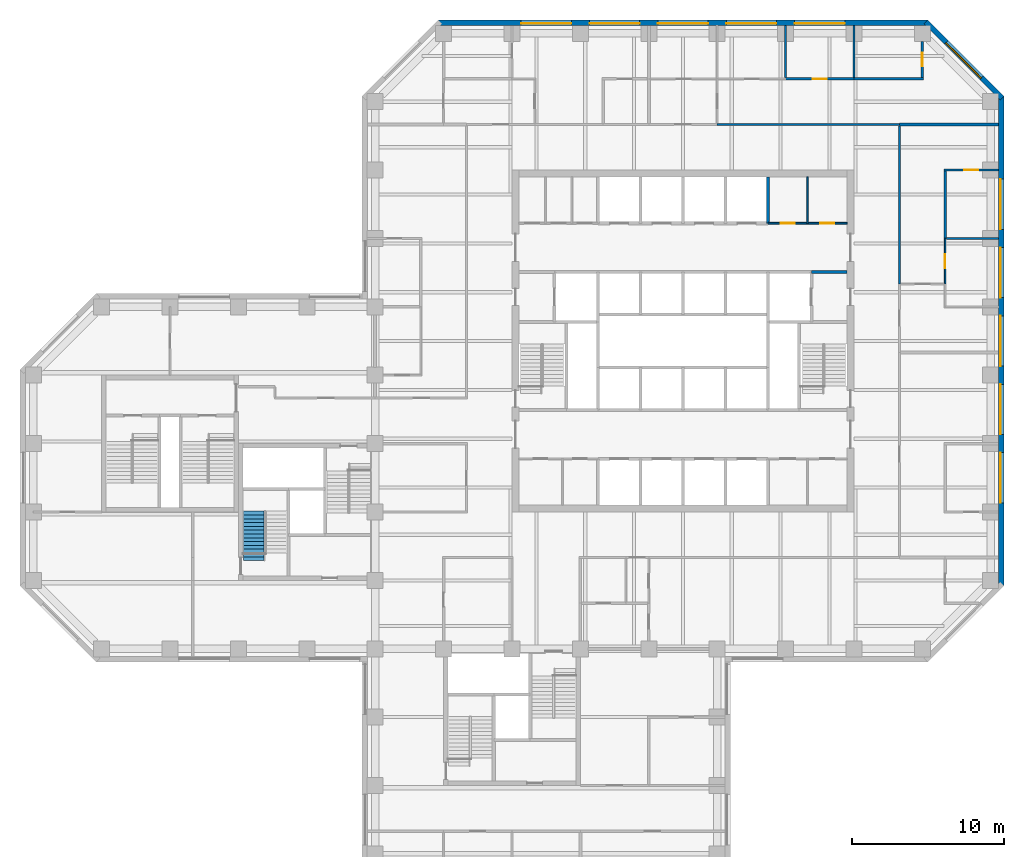
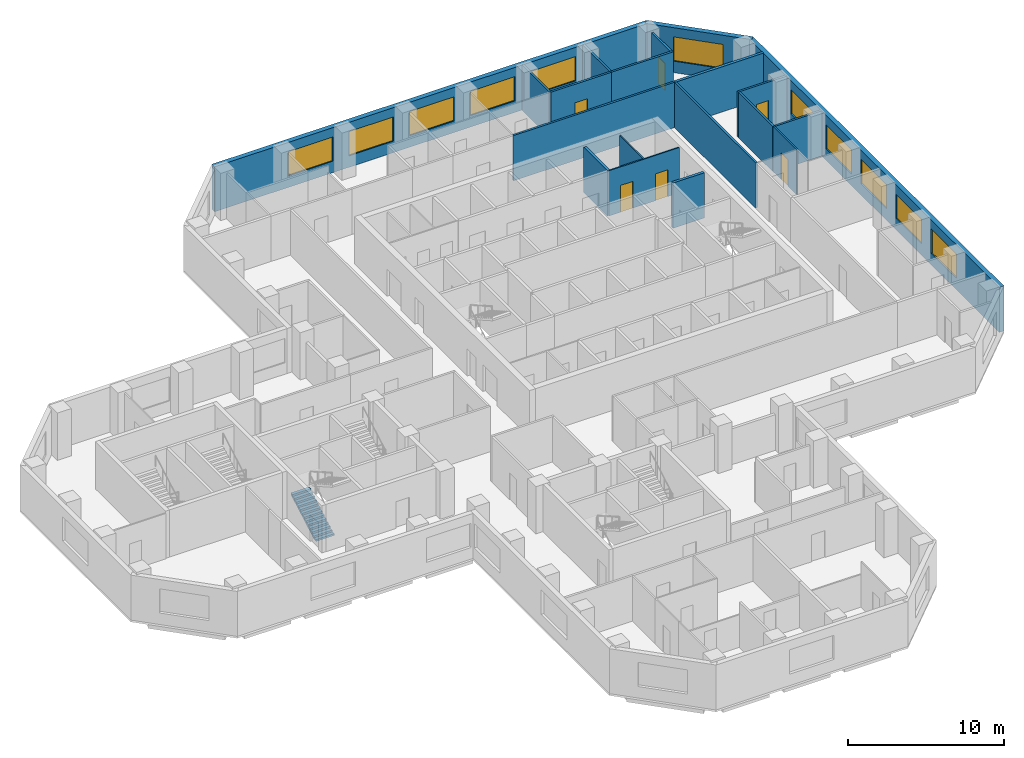
# One storey, part 9 of 11: 19 walls, 11 windows, 6 doors, 1 stair flight, 17 openings, 1 element without a shape of its own.
"""IFC4 building model written with IfcOpenShell, lengths in metres."""

from ifc_helpers import new_model, si_unit, direction, frame, frame_2d, origin, place, context, subcontext, project, spatial, polyline, rectangle, outline, extrude, material, layer, layer_set, constituent, constituent_set, type_object, element, fill, aggregate, save


model = new_model("IFC4")

# Units and contexts
model_context = context("Model", 3, precision=1e-05, world=origin(), true_north=direction((0.0, 1.0)))
body_context = subcontext(model_context, "Body", "Model", "MODEL_VIEW")
ifc_project = project(units=[si_unit("LENGTHUNIT", "METRE"), si_unit("AREAUNIT", "SQUARE_METRE"), si_unit("VOLUMEUNIT", "CUBIC_METRE"), si_unit("PLANEANGLEUNIT", "RADIAN"), si_unit("MASSUNIT", "GRAM", prefix="KILO")], contexts=[model_context])

# Site, building, storey
site_placement = place(None, origin())
site = spatial("IfcSite", under=ifc_project, at=site_placement, CompositionType="ELEMENT")
building_placement = place(site_placement, origin())
building = spatial("IfcBuilding", under=site, at=building_placement, Name="Quoin Convention Tower", CompositionType="ELEMENT")
storey_placement = place(building_placement, frame((0.0, 0.0, 115.89990234375)))
storey = spatial("IfcBuildingStorey", under=building, at=storey_placement, Name="L30", CompositionType="ELEMENT", Elevation=115.89990234375)

# Wall
ifc_material_1 = material(Name="Plasterboard")
ifc_layer_1 = layer(ifc_material_1, 0.012451171875, Name="Finish")
ifc_material_2 = material(Name="Steel stud framing", Category="steel")
ifc_layer_2 = layer(ifc_material_2, 0.125, Name="Structure")
ifc_layer_3 = layer(ifc_material_1, 0.012451171875, Name="Finish")
ifc_layer_set_1 = layer_set([ifc_layer_1, ifc_layer_2, ifc_layer_3], Name="Steel stud framing")
wall_type_1 = type_object("IfcWallType", Name="Acoustic partition 150", PredefinedType="PARTITIONING", material=ifc_layer_set_1)
wall_1_placement = place(storey_placement, frame((73.574951171875, 67.5, 0.0), z_axis=(0.0, 0.0, 1.0), x_axis=(1.0, 0.0, 0.0)))
element("IfcWall", 1, at=wall_1_placement, inside=storey, type_object=wall_type_1, Name="pw-L30-042", PredefinedType="PARTITIONING", context=body_context, shape_type="SweptSolid", body=[
    extrude(rectangle(XDim=3.449951171875, YDim=0.14990234375, at=frame_2d((1.72509765625, 0.0))), origin(), (0.0, 0.0, 1.0), 3.550048828125),
])

# Wall, opening, door
wall_2_placement = place(storey_placement, frame((73.425048828125, 72.0, 0.0), z_axis=(0.0, 0.0, 1.0), x_axis=(1.0, 0.0, 0.0)))
wall_2 = element("IfcWall", 2, at=wall_2_placement, inside=storey, type_object=wall_type_1, Name="pw-L30-043", PredefinedType="PARTITIONING", context=body_context, shape_type="SweptSolid", body=[
    extrude(rectangle(XDim=3.599853515625, YDim=0.14990234375, at=frame_2d((1.7998046875, 0.0))), origin(), (0.0, 0.0, 1.0), 3.550048828125),
])
opening_1_placement = place(wall_2_placement, frame((1.35009765625, 0.0, 0.0)))
opening_1 = element("IfcOpeningElement", 3, at=opening_1_placement, cuts=wall_2, Name="Opening DOL6-16", PredefinedType="OPENING", context=body_context, shape_type="SweptSolid", body=[
    extrude(rectangle(XDim=0.89990234375, YDim=2.10009765625, at=frame_2d((0.449951171875, 1.050048828125))), frame((0.0, 0.0849609375, 0.0), z_axis=(0.0, -1.0, 0.0), x_axis=(1.0, 0.0, 0.0)), (0.0, 0.0, 1.0), 0.169921875),
])
ifc_material_3 = material(Name="Steel door leaf", Category="steel")
door_type_1 = type_object("IfcDoorType", Name="Office door 900 x 2100", OperationType="SINGLE_SWING_RIGHT", PredefinedType="DOOR", material=ifc_material_3)
door_1_placement = place(opening_1_placement, origin())
door_1 = element("IfcDoor", 4, at=door_1_placement, inside=storey, type_object=door_type_1, Name="dr-L30-28", OperationType="SINGLE_SWING_RIGHT", OverallHeight=2.10009765625, OverallWidth=0.89990234375, PredefinedType="DOOR", context=body_context, shape_type="SweptSolid", body=[
    extrude(rectangle(XDim=0.89990234375, YDim=2.10009765625, at=frame_2d((0.449951171875, 1.050048828125))), frame((0.0, 0.02490234375, 0.0), z_axis=(0.0, -1.0, 0.0), x_axis=(1.0, 0.0, 0.0)), (0.0, 0.0, 1.0), 0.050048828125),
])
fill(opening_1, door_1)

wall_3_placement = place(storey_placement, frame((63.0, 78.0, 0.0), z_axis=(0.0, 0.0, 1.0), x_axis=(1.0, 0.0, 0.0)))
wall_3 = element("IfcWall", 5, at=wall_3_placement, inside=storey, type_object=wall_type_1, Name="pw-L30-057", PredefinedType="PARTITIONING", context=body_context, shape_type="SweptSolid", body=[
    extrude(rectangle(XDim=4.5, YDim=0.14990234375, at=frame_2d((2.25, 0.0))), origin(), (0.0, 0.0, 1.0), 3.550048828125),
])
opening_2_placement = place(wall_3_placement, frame((1.800048828125, 0.0, 0.0)))
opening_2 = element("IfcOpeningElement", 6, at=opening_2_placement, cuts=wall_3, Name="Opening DOL6-22", PredefinedType="OPENING", context=body_context, shape_type="SweptSolid", body=[
    extrude(rectangle(XDim=0.89990234375, YDim=2.10009765625, at=frame_2d((0.449951171875, 1.050048828125))), frame((0.0, 0.0849609375, 0.0), z_axis=(0.0, -1.0, 0.0), x_axis=(1.0, 0.0, 0.0)), (0.0, 0.0, 1.0), 0.169921875),
])
door_2_placement = place(opening_2_placement, frame((0.89990234375, 0.0, 0.0), z_axis=(0.0, 0.0, 1.0), x_axis=(-1.0, 0.0, 0.0)))
door_2 = element("IfcDoor", 7, at=door_2_placement, inside=storey, type_object=door_type_1, Name="dr-L30-38", OperationType="SINGLE_SWING_LEFT", OverallHeight=2.10009765625, OverallWidth=0.89990234375, PredefinedType="DOOR", context=body_context, shape_type="SweptSolid", body=[
    extrude(rectangle(XDim=0.89990234375, YDim=2.10009765625, at=frame_2d((0.449951171875, 1.050048828125))), frame((0.0, 0.02490234375, 0.0), z_axis=(0.0, -1.0, 0.0), x_axis=(1.0, 0.0, 0.0)), (0.0, 0.0, 1.0), 0.050048828125),
])
fill(opening_2, door_2)

# Walls
wall_4_placement = place(storey_placement, frame((67.5, 78.0, 0.0), z_axis=(0.0, 0.0, 1.0), x_axis=(1.0, 0.0, 0.0)))
element("IfcWall", 8, at=wall_4_placement, inside=storey, type_object=wall_type_1, Name="pw-L30-058", PredefinedType="PARTITIONING", context=body_context, shape_type="SweptSolid", body=[
    extrude(rectangle(XDim=4.574951171875, YDim=0.14990234375, at=frame_2d((2.28759765625, 0.0))), origin(), (0.0, 0.0, 1.0), 3.550048828125),
])
wall_5_placement = place(storey_placement, frame((73.5, 67.5, 0.0), z_axis=(0.0, 0.0, 1.0), x_axis=(0.0, 1.0, 0.0)))
element("IfcWall", 9, at=wall_5_placement, inside=storey, type_object=wall_type_1, Name="pw-L30-097", PredefinedType="PARTITIONING", context=body_context, shape_type="SweptSolid", body=[
    extrude(rectangle(XDim=4.425048828125, YDim=0.14990234375, at=frame_2d((2.21240234375, 0.0))), origin(), (0.0, 0.0, 1.0), 3.550048828125),
])
for number, where, z_axis, x_axis, name in (
    (10, (63.0, 78.074951171875, 0.0), (0.0, 0.0, 1.0), (0.0, 1.0, 0.0), "pw-L30-107"),
    (11, (67.5, 78.074951171875, 0.0), (0.0, 0.0, 1.0), (0.0, 1.0, 0.0), "pw-L30-108"),
):
    element("IfcWall", number, at=place(storey_placement, frame(where, z_axis=z_axis, x_axis=x_axis)), inside=storey, type_object=wall_type_1, Name=name, PredefinedType="PARTITIONING", context=body_context, shape_type="SweptSolid", body=[
        extrude(rectangle(XDim=3.449951171875, YDim=0.14990234375, at=frame_2d((1.72509765625, 0.0))), origin(), (0.0, 0.0, 1.0), 3.550048828125),
    ])

# Wall, opening, door
wall_6_placement = place(storey_placement, frame((72.0, 78.074951171875, 0.0), z_axis=(0.0, 0.0, 1.0), x_axis=(0.0, 1.0, 0.0)))
wall_6 = element("IfcWall", 12, at=wall_6_placement, inside=storey, type_object=wall_type_1, Name="pw-L30-109", PredefinedType="PARTITIONING", context=body_context, shape_type="SweptSolid", body=[
    extrude(rectangle(XDim=2.400146484375, YDim=0.14990234375, at=frame_2d((1.2001953125, 0.0))), origin(), (0.0, 0.0, 1.0), 3.550048828125),
])
opening_3_placement = place(wall_6_placement, frame((0.75, 0.0, 0.0)))
opening_3 = element("IfcOpeningElement", 13, at=opening_3_placement, cuts=wall_6, Name="Opening DOL6-37", PredefinedType="OPENING", context=body_context, shape_type="SweptSolid", body=[
    extrude(rectangle(XDim=0.89990234375, YDim=2.10009765625, at=frame_2d((0.449951171875, 1.050048828125))), frame((0.0, 0.0849609375, 0.0), z_axis=(0.0, -1.0, 0.0), x_axis=(1.0, 0.0, 0.0)), (0.0, 0.0, 1.0), 0.169921875),
])
door_3_placement = place(opening_3_placement, frame((0.89990234375, 0.0, 0.0), z_axis=(0.0, 0.0, 1.0), x_axis=(-1.0, 0.0, 0.0)))
door_3 = element("IfcDoor", 14, at=door_3_placement, inside=storey, type_object=door_type_1, Name="dr-L30-39", OperationType="SINGLE_SWING_LEFT", OverallHeight=2.10009765625, OverallWidth=0.89990234375, PredefinedType="DOOR", context=body_context, shape_type="SweptSolid", body=[
    extrude(rectangle(XDim=0.89990234375, YDim=2.10009765625, at=frame_2d((0.449951171875, 1.050048828125))), frame((0.0, 0.02490234375, 0.0), z_axis=(0.0, -1.0, 0.0), x_axis=(1.0, 0.0, 0.0)), (0.0, 0.0, 1.0), 0.050048828125),
])
fill(opening_3, door_3)

# Wall, openings, windows
ifc_material_4 = material(Name="Brick masonry", Category="masonry")
ifc_layer_4 = layer(ifc_material_4, 0.35009765625)
ifc_layer_set_2 = layer_set([ifc_layer_4], Name="Brick masonry")
wall_type_2 = type_object("IfcWallType", Name="Brick facade wall", PredefinedType="STANDARD", material=ifc_layer_set_2)
wall_7_placement = place(storey_placement, frame((77.199951171875, 44.6376953125, 0.0), z_axis=(0.0, 0.0, 1.0), x_axis=(0.0, 1.0, 0.0)))
wall_7 = element("IfcWall", 15, at=wall_7_placement, inside=storey, type_object=wall_type_2, Name="fw-L30-76500_45000", PredefinedType="STANDARD", context=body_context, shape_type="SweptSolid", body=[
    extrude(rectangle(XDim=32.224609375, YDim=0.35009765625, at=frame_2d((16.1123046875, 0.0))), origin(), (0.0, 0.0, 1.0), 3.525146484375),
])
opening_4_placement = place(wall_7_placement, frame((5.46240234375, 0.0, 0.89990234375)))
opening_4 = element("IfcOpeningElement", 16, at=opening_4_placement, cuts=wall_7, Name="Opening W-02", PredefinedType="OPENING", context=body_context, shape_type="SweptSolid", body=[
    extrude(rectangle(XDim=3.300048828125, YDim=1.89990234375, at=frame_2d((1.64990234375, 0.949951171875))), frame((0.0, 0.18505859375, 0.0), z_axis=(0.0, -1.0, 0.0), x_axis=(1.0, 0.0, 0.0)), (0.0, 0.0, 1.0), 0.3701171875),
])
opening_5_placement = place(wall_7_placement, frame((9.96240234375, 0.0, 0.89990234375)))
opening_5 = element("IfcOpeningElement", 17, at=opening_5_placement, cuts=wall_7, Name="Opening W-02", PredefinedType="OPENING", context=body_context, shape_type="SweptSolid", body=[
    extrude(rectangle(XDim=3.300048828125, YDim=1.89990234375, at=frame_2d((1.64990234375, 0.949951171875))), frame((0.0, 0.18505859375, 0.0), z_axis=(0.0, -1.0, 0.0), x_axis=(1.0, 0.0, 0.0)), (0.0, 0.0, 1.0), 0.3701171875),
])
opening_6_placement = place(wall_7_placement, frame((14.46240234375, 0.0, 0.89990234375)))
opening_6 = element("IfcOpeningElement", 18, at=opening_6_placement, cuts=wall_7, Name="Opening W-02", PredefinedType="OPENING", context=body_context, shape_type="SweptSolid", body=[
    extrude(rectangle(XDim=3.300048828125, YDim=1.89990234375, at=frame_2d((1.64990234375, 0.949951171875))), frame((0.0, 0.18505859375, 0.0), z_axis=(0.0, -1.0, 0.0), x_axis=(1.0, 0.0, 0.0)), (0.0, 0.0, 1.0), 0.3701171875),
])
opening_7_placement = place(wall_7_placement, frame((18.96240234375, 0.0, 0.89990234375)))
opening_7 = element("IfcOpeningElement", 19, at=opening_7_placement, cuts=wall_7, Name="Opening W-02", PredefinedType="OPENING", context=body_context, shape_type="SweptSolid", body=[
    extrude(rectangle(XDim=3.300048828125, YDim=1.89990234375, at=frame_2d((1.64990234375, 0.949951171875))), frame((0.0, 0.18505859375, 0.0), z_axis=(0.0, -1.0, 0.0), x_axis=(1.0, 0.0, 0.0)), (0.0, 0.0, 1.0), 0.3701171875),
])
opening_8_placement = place(wall_7_placement, frame((23.46240234375, 0.0, 0.89990234375)))
opening_8 = element("IfcOpeningElement", 20, at=opening_8_placement, cuts=wall_7, Name="Opening W-02", PredefinedType="OPENING", context=body_context, shape_type="SweptSolid", body=[
    extrude(rectangle(XDim=3.300048828125, YDim=1.89990234375, at=frame_2d((1.64990234375, 0.949951171875))), frame((0.0, 0.18505859375, 0.0), z_axis=(0.0, -1.0, 0.0), x_axis=(1.0, 0.0, 0.0)), (0.0, 0.0, 1.0), 0.3701171875),
])
ifc_material_5 = material(Name="Aluminium", Category="aluminium")
ifc_constituent_1 = constituent(ifc_material_5, Name="Frame")
ifc_material_6 = material(Name="Insulated glass", Category="glass")
ifc_constituent_2 = constituent(ifc_material_6, Name="Glazing")
ifc_constituent_set = constituent_set(constituents=[ifc_constituent_1, ifc_constituent_2], Name="Aluminium")
window_type = type_object("IfcWindowType", Name="Office window", PartitioningType="DOUBLE_PANEL_VERTICAL", PredefinedType="WINDOW", material=ifc_constituent_set)
window_1_placement = place(opening_4_placement, origin())
window_1 = element("IfcWindow", 21, at=window_1_placement, inside=storey, type_object=window_type, Name="win-L30-77200_51750", OverallHeight=1.89990234375, OverallWidth=3.300048828125, PartitioningType="SINGLE_PANEL", PredefinedType="WINDOW", context=body_context, shape_type="SweptSolid", body=[
    extrude(rectangle(XDim=3.300048828125, YDim=1.89990234375, at=frame_2d((1.64990234375, 0.949951171875))), frame((0.0, 0.0849609375, 0.0), z_axis=(0.0, -1.0, 0.0), x_axis=(1.0, 0.0, 0.0)), (0.0, 0.0, 1.0), 0.06005859375),
])
fill(opening_4, window_1)
window_2_placement = place(opening_5_placement, origin())
window_2 = element("IfcWindow", 22, at=window_2_placement, inside=storey, type_object=window_type, Name="win-L30-77200_56250", OverallHeight=1.89990234375, OverallWidth=3.300048828125, PartitioningType="SINGLE_PANEL", PredefinedType="WINDOW", context=body_context, shape_type="SweptSolid", body=[
    extrude(rectangle(XDim=3.300048828125, YDim=1.89990234375, at=frame_2d((1.64990234375, 0.949951171875))), frame((0.0, 0.0849609375, 0.0), z_axis=(0.0, -1.0, 0.0), x_axis=(1.0, 0.0, 0.0)), (0.0, 0.0, 1.0), 0.06005859375),
])
fill(opening_5, window_2)
window_3_placement = place(opening_6_placement, origin())
window_3 = element("IfcWindow", 23, at=window_3_placement, inside=storey, type_object=window_type, Name="win-L30-77200_60750", OverallHeight=1.89990234375, OverallWidth=3.300048828125, PartitioningType="SINGLE_PANEL", PredefinedType="WINDOW", context=body_context, shape_type="SweptSolid", body=[
    extrude(rectangle(XDim=3.300048828125, YDim=1.89990234375, at=frame_2d((1.64990234375, 0.949951171875))), frame((0.0, 0.0849609375, 0.0), z_axis=(0.0, -1.0, 0.0), x_axis=(1.0, 0.0, 0.0)), (0.0, 0.0, 1.0), 0.06005859375),
])
fill(opening_6, window_3)
window_4_placement = place(opening_7_placement, origin())
window_4 = element("IfcWindow", 24, at=window_4_placement, inside=storey, type_object=window_type, Name="win-L30-77200_65250", OverallHeight=1.89990234375, OverallWidth=3.300048828125, PartitioningType="SINGLE_PANEL", PredefinedType="WINDOW", context=body_context, shape_type="SweptSolid", body=[
    extrude(rectangle(XDim=3.300048828125, YDim=1.89990234375, at=frame_2d((1.64990234375, 0.949951171875))), frame((0.0, 0.0849609375, 0.0), z_axis=(0.0, -1.0, 0.0), x_axis=(1.0, 0.0, 0.0)), (0.0, 0.0, 1.0), 0.06005859375),
])
fill(opening_7, window_4)
window_5_placement = place(opening_8_placement, origin())
window_5 = element("IfcWindow", 25, at=window_5_placement, inside=storey, type_object=window_type, Name="win-L30-77200_69750", OverallHeight=1.89990234375, OverallWidth=3.300048828125, PartitioningType="SINGLE_PANEL", PredefinedType="WINDOW", context=body_context, shape_type="SweptSolid", body=[
    extrude(rectangle(XDim=3.300048828125, YDim=1.89990234375, at=frame_2d((1.64990234375, 0.949951171875))), frame((0.0, 0.0849609375, 0.0), z_axis=(0.0, -1.0, 0.0), x_axis=(1.0, 0.0, 0.0)), (0.0, 0.0, 1.0), 0.06005859375),
])
fill(opening_8, window_5)

# Wall, opening, window
wall_8_placement = place(storey_placement, frame((77.251220703125, 76.73876953125, 0.0), z_axis=(0.0, 0.0, 1.0), x_axis=(-0.707106781187, 0.707106781187, 0.0)))
wall_8 = element("IfcWall", 26, at=wall_8_placement, inside=storey, type_object=wall_type_2, Name="fw-L30-76500_76500", PredefinedType="STANDARD", context=body_context, shape_type="SweptSolid", body=[
    extrude(rectangle(XDim=7.088623046875, YDim=0.35009765625, at=frame_2d((3.54443359375, 0.0))), origin(), (0.0, 0.0, 1.0), 3.525146484375),
])
opening_9_placement = place(wall_8_placement, frame((1.894287109375, 0.0, 0.89990234375)))
opening_9 = element("IfcOpeningElement", 27, at=opening_9_placement, cuts=wall_8, Name="Opening W-02", PredefinedType="OPENING", context=body_context, shape_type="SweptSolid", body=[
    extrude(rectangle(XDim=3.300048828125, YDim=1.89990234375, at=frame_2d((1.64990234375, 0.949951171875))), frame((0.0, 0.18505859375, 0.0), z_axis=(0.0, -1.0, 0.0), x_axis=(1.0, 0.0, 0.0)), (0.0, 0.0, 1.0), 0.3701171875),
])
window_6_placement = place(opening_9_placement, origin())
window_6 = element("IfcWindow", 28, at=window_6_placement, inside=storey, type_object=window_type, Name="win-L30-74745_79245", OverallHeight=1.89990234375, OverallWidth=3.300048828125, PartitioningType="SINGLE_PANEL", PredefinedType="WINDOW", context=body_context, shape_type="SweptSolid", body=[
    extrude(rectangle(XDim=3.300048828125, YDim=1.89990234375, at=frame_2d((1.64990234375, 0.949951171875))), frame((0.0, 0.0849609375, 0.0), z_axis=(0.0, -1.0, 0.0), x_axis=(1.0, 0.0, 0.0)), (0.0, 0.0, 1.0), 0.06005859375),
])
fill(opening_9, window_6)

# Wall, openings, windows
wall_9_placement = place(storey_placement, frame((72.3623046875, 81.699951171875, 0.0), z_axis=(0.0, 0.0, 1.0), x_axis=(-1.0, 0.0, 0.0)))
wall_9 = element("IfcWall", 29, at=wall_9_placement, inside=storey, type_object=wall_type_2, Name="fw-L30-72000_81000", PredefinedType="STANDARD", context=body_context, shape_type="SweptSolid", body=[
    extrude(rectangle(XDim=32.224609375, YDim=0.35009765625, at=frame_2d((16.1123046875, 0.0))), origin(), (0.0, 0.0, 1.0), 3.525146484375),
])
opening_10_placement = place(wall_9_placement, frame((5.46240234375, 0.0, 0.89990234375)))
opening_10 = element("IfcOpeningElement", 30, at=opening_10_placement, cuts=wall_9, Name="Opening W-02", PredefinedType="OPENING", context=body_context, shape_type="SweptSolid", body=[
    extrude(rectangle(XDim=3.300048828125, YDim=1.89990234375, at=frame_2d((1.64990234375, 0.949951171875))), frame((0.0, 0.18505859375, 0.0), z_axis=(0.0, -1.0, 0.0), x_axis=(1.0, 0.0, 0.0)), (0.0, 0.0, 1.0), 0.3701171875),
])
opening_11_placement = place(wall_9_placement, frame((9.96240234375, 0.0, 0.89990234375)))
opening_11 = element("IfcOpeningElement", 31, at=opening_11_placement, cuts=wall_9, Name="Opening W-02", PredefinedType="OPENING", context=body_context, shape_type="SweptSolid", body=[
    extrude(rectangle(XDim=3.300048828125, YDim=1.89990234375, at=frame_2d((1.64990234375, 0.949951171875))), frame((0.0, 0.18505859375, 0.0), z_axis=(0.0, -1.0, 0.0), x_axis=(1.0, 0.0, 0.0)), (0.0, 0.0, 1.0), 0.3701171875),
])
opening_12_placement = place(wall_9_placement, frame((14.46240234375, 0.0, 0.89990234375)))
opening_12 = element("IfcOpeningElement", 32, at=opening_12_placement, cuts=wall_9, Name="Opening W-02", PredefinedType="OPENING", context=body_context, shape_type="SweptSolid", body=[
    extrude(rectangle(XDim=3.300048828125, YDim=1.89990234375, at=frame_2d((1.64990234375, 0.949951171875))), frame((0.0, 0.18505859375, 0.0), z_axis=(0.0, -1.0, 0.0), x_axis=(1.0, 0.0, 0.0)), (0.0, 0.0, 1.0), 0.3701171875),
])
opening_13_placement = place(wall_9_placement, frame((18.96240234375, 0.0, 0.89990234375)))
opening_13 = element("IfcOpeningElement", 33, at=opening_13_placement, cuts=wall_9, Name="Opening W-02", PredefinedType="OPENING", context=body_context, shape_type="SweptSolid", body=[
    extrude(rectangle(XDim=3.300048828125, YDim=1.89990234375, at=frame_2d((1.64990234375, 0.949951171875))), frame((0.0, 0.18505859375, 0.0), z_axis=(0.0, -1.0, 0.0), x_axis=(1.0, 0.0, 0.0)), (0.0, 0.0, 1.0), 0.3701171875),
])
opening_14_placement = place(wall_9_placement, frame((23.46240234375, 0.0, 0.89990234375)))
opening_14 = element("IfcOpeningElement", 34, at=opening_14_placement, cuts=wall_9, Name="Opening W-02", PredefinedType="OPENING", context=body_context, shape_type="SweptSolid", body=[
    extrude(rectangle(XDim=3.300048828125, YDim=1.89990234375, at=frame_2d((1.64990234375, 0.949951171875))), frame((0.0, 0.18505859375, 0.0), z_axis=(0.0, -1.0, 0.0), x_axis=(1.0, 0.0, 0.0)), (0.0, 0.0, 1.0), 0.3701171875),
])
window_7_placement = place(opening_10_placement, origin())
window_7 = element("IfcWindow", 35, at=window_7_placement, inside=storey, type_object=window_type, Name="win-L30-65250_81700", OverallHeight=1.89990234375, OverallWidth=3.300048828125, PartitioningType="SINGLE_PANEL", PredefinedType="WINDOW", context=body_context, shape_type="SweptSolid", body=[
    extrude(rectangle(XDim=3.300048828125, YDim=1.89990234375, at=frame_2d((1.64990234375, 0.949951171875))), frame((0.0, 0.0849609375, 0.0), z_axis=(0.0, -1.0, 0.0), x_axis=(1.0, 0.0, 0.0)), (0.0, 0.0, 1.0), 0.06005859375),
])
fill(opening_10, window_7)
window_8_placement = place(opening_11_placement, origin())
window_8 = element("IfcWindow", 36, at=window_8_placement, inside=storey, type_object=window_type, Name="win-L30-60750_81700", OverallHeight=1.89990234375, OverallWidth=3.300048828125, PartitioningType="SINGLE_PANEL", PredefinedType="WINDOW", context=body_context, shape_type="SweptSolid", body=[
    extrude(rectangle(XDim=3.300048828125, YDim=1.89990234375, at=frame_2d((1.64990234375, 0.949951171875))), frame((0.0, 0.0849609375, 0.0), z_axis=(0.0, -1.0, 0.0), x_axis=(1.0, 0.0, 0.0)), (0.0, 0.0, 1.0), 0.06005859375),
])
fill(opening_11, window_8)
window_9_placement = place(opening_12_placement, origin())
window_9 = element("IfcWindow", 37, at=window_9_placement, inside=storey, type_object=window_type, Name="win-L30-56250_81700", OverallHeight=1.89990234375, OverallWidth=3.300048828125, PartitioningType="SINGLE_PANEL", PredefinedType="WINDOW", context=body_context, shape_type="SweptSolid", body=[
    extrude(rectangle(XDim=3.300048828125, YDim=1.89990234375, at=frame_2d((1.64990234375, 0.949951171875))), frame((0.0, 0.0849609375, 0.0), z_axis=(0.0, -1.0, 0.0), x_axis=(1.0, 0.0, 0.0)), (0.0, 0.0, 1.0), 0.06005859375),
])
fill(opening_12, window_9)
window_10_placement = place(opening_13_placement, origin())
window_10 = element("IfcWindow", 38, at=window_10_placement, inside=storey, type_object=window_type, Name="win-L30-51750_81700", OverallHeight=1.89990234375, OverallWidth=3.300048828125, PartitioningType="SINGLE_PANEL", PredefinedType="WINDOW", context=body_context, shape_type="SweptSolid", body=[
    extrude(rectangle(XDim=3.300048828125, YDim=1.89990234375, at=frame_2d((1.64990234375, 0.949951171875))), frame((0.0, 0.0849609375, 0.0), z_axis=(0.0, -1.0, 0.0), x_axis=(1.0, 0.0, 0.0)), (0.0, 0.0, 1.0), 0.06005859375),
])
fill(opening_13, window_10)
window_11_placement = place(opening_14_placement, origin())
window_11 = element("IfcWindow", 39, at=window_11_placement, inside=storey, type_object=window_type, Name="win-L30-47250_81700", OverallHeight=1.89990234375, OverallWidth=3.300048828125, PartitioningType="SINGLE_PANEL", PredefinedType="WINDOW", context=body_context, shape_type="SweptSolid", body=[
    extrude(rectangle(XDim=3.300048828125, YDim=1.89990234375, at=frame_2d((1.64990234375, 0.949951171875))), frame((0.0, 0.0849609375, 0.0), z_axis=(0.0, -1.0, 0.0), x_axis=(1.0, 0.0, 0.0)), (0.0, 0.0, 1.0), 0.06005859375),
])
fill(opening_14, window_11)

# Wall, openings, doors
ifc_layer_5 = layer(ifc_material_1, 0.012451171875, Name="Finish")
ifc_layer_6 = layer(ifc_material_2, 0.074951171875, Name="Structure")
ifc_layer_7 = layer(ifc_material_1, 0.012451171875, Name="Finish")
ifc_layer_set_3 = layer_set([ifc_layer_5, ifc_layer_6, ifc_layer_7], Name="Steel stud framing")
wall_type_3 = type_object("IfcWallType", Name="Core partition wall", PredefinedType="PARTITIONING", material=ifc_layer_set_3)
wall_10_placement = place(storey_placement, frame((61.85009765625, 68.5, 0.0), z_axis=(0.0, 0.0, 1.0), x_axis=(1.0, 0.0, 0.0)))
wall_10 = element("IfcWall", 40, at=wall_10_placement, inside=storey, type_object=wall_type_3, Name="cr-C1-L30-h19000_16850", PredefinedType="PARTITIONING", context=body_context, shape_type="SweptSolid", body=[
    extrude(rectangle(XDim=5.199951171875, YDim=0.10009765625, at=frame_2d((2.60009765625, 0.0))), origin(), (0.0, 0.0, 1.0), 3.550048828125),
])
opening_15_placement = place(wall_10_placement, frame((3.449951171875, 0.0, 0.0)))
opening_15 = element("IfcOpeningElement", 41, at=opening_15_placement, cuts=wall_10, Name="Opening DCV4-04", PredefinedType="OPENING", context=body_context, shape_type="SweptSolid", body=[
    extrude(rectangle(XDim=0.89990234375, YDim=2.10009765625, at=frame_2d((0.449951171875, 1.050048828125))), frame((0.0, 0.06005859375, 0.0), z_axis=(0.0, -1.0, 0.0), x_axis=(1.0, 0.0, 0.0)), (0.0, 0.0, 1.0), 0.1201171875),
])
opening_16_placement = place(wall_10_placement, frame((0.85009765625, 0.0, 0.0)))
opening_16 = element("IfcOpeningElement", 42, at=opening_16_placement, cuts=wall_10, Name="Opening DCV4-02", PredefinedType="OPENING", context=body_context, shape_type="SweptSolid", body=[
    extrude(rectangle(XDim=0.89990234375, YDim=2.10009765625, at=frame_2d((0.449951171875, 1.050048828125))), frame((0.0, 0.06005859375, 0.0), z_axis=(0.0, -1.0, 0.0), x_axis=(1.0, 0.0, 0.0)), (0.0, 0.0, 1.0), 0.1201171875),
])
door_type_2 = type_object("IfcDoorType", Name="Core room door 900 x 2100", OperationType="SINGLE_SWING_LEFT", PredefinedType="DOOR", material=ifc_material_3)
door_4_placement = place(opening_15_placement, origin())
door_4 = element("IfcDoor", 43, at=door_4_placement, inside=storey, type_object=door_type_2, Name="cd-C1-L30-CNE0-lobB-CD3007", OperationType="SINGLE_SWING_RIGHT", OverallHeight=2.10009765625, OverallWidth=0.89990234375, PredefinedType="DOOR", context=body_context, shape_type="SweptSolid", body=[
    extrude(rectangle(XDim=0.89990234375, YDim=2.10009765625, at=frame_2d((0.449951171875, 1.050048828125))), frame((0.0, 0.02490234375, 0.0), z_axis=(0.0, -1.0, 0.0), x_axis=(1.0, 0.0, 0.0)), (0.0, 0.0, 1.0), 0.050048828125),
])
fill(opening_15, door_4)
door_5_placement = place(opening_16_placement, origin())
door_5 = element("IfcDoor", 44, at=door_5_placement, inside=storey, type_object=door_type_2, Name="cd-C1-L30-CNE1-lobB-CD3008", OperationType="SINGLE_SWING_LEFT", OverallHeight=2.10009765625, OverallWidth=0.89990234375, PredefinedType="DOOR", context=body_context, shape_type="SweptSolid", body=[
    extrude(rectangle(XDim=0.89990234375, YDim=2.10009765625, at=frame_2d((0.449951171875, 1.050048828125))), frame((0.0, 0.02490234375, 0.0), z_axis=(0.0, -1.0, 0.0), x_axis=(1.0, 0.0, 0.0)), (0.0, 0.0, 1.0), 0.050048828125),
])
fill(opening_16, door_5)

# Walls
wall_11_placement = place(storey_placement, frame((64.449951171875, 68.5, 0.0), z_axis=(0.0, 0.0, 1.0), x_axis=(0.0, 1.0, 0.0)))
element("IfcWall", 45, at=wall_11_placement, inside=storey, type_object=wall_type_3, Name="cr-C1-L30-v19450_19000", PredefinedType="PARTITIONING", context=body_context, shape_type="SweptSolid", body=[
    extrude(rectangle(XDim=3.050048828125, YDim=0.10009765625, at=frame_2d((1.52490234375, 0.0))), origin(), (0.0, 0.0, 1.0), 3.550048828125),
])
ifc_material_7 = material(Name="Concrete C50", Category="concrete")
ifc_layer_8 = layer(ifc_material_7, 0.199951171875)
ifc_layer_set_4 = layer_set([ifc_layer_8], Name="Concrete C50")
wall_type_4 = type_object("IfcWallType", Name="Core shaft wall", PredefinedType="SOLIDWALL", material=ifc_layer_set_4)
wall_12_placement = place(storey_placement, frame((64.699951171875, 65.300048828125, 0.0), z_axis=(0.0, 0.0, 1.0), x_axis=(1.0, 0.0, 0.0)))
element("IfcWall", 46, at=wall_12_placement, inside=storey, type_object=wall_type_4, Name="cr-C1-L30-h15800_19700", PredefinedType="SOLIDWALL", context=body_context, shape_type="SweptSolid", body=[
    extrude(rectangle(XDim=2.35009765625, YDim=0.199951171875, at=frame_2d((1.175048828125, 0.0))), origin(), (0.0, 0.0, 1.0), 3.550048828125),
])
wall_13_placement = place(storey_placement, frame((61.85009765625, 68.5, 0.0), z_axis=(0.0, 0.0, 1.0), x_axis=(0.0, 1.0, 0.0)))
element("IfcWall", 47, at=wall_13_placement, inside=storey, type_object=wall_type_4, Name="cr-C1-L30-v16850_19000", PredefinedType="SOLIDWALL", context=body_context, shape_type="SweptSolid", body=[
    extrude(rectangle(XDim=3.050048828125, YDim=0.199951171875, at=frame_2d((1.52490234375, 0.0))), origin(), (0.0, 0.0, 1.0), 3.550048828125),
])
ifc_layer_9 = layer(ifc_material_1, 0.012451171875, Name="Finish")
ifc_layer_10 = layer(ifc_material_2, 0.125, Name="Structure")
ifc_layer_11 = layer(ifc_material_1, 0.012451171875, Name="Finish")
ifc_layer_set_5 = layer_set([ifc_layer_9, ifc_layer_10, ifc_layer_11], Name="Steel stud framing")
wall_type_5 = type_object("IfcWallType", Name="Corridor wall 150", PredefinedType="PARTITIONING", material=ifc_layer_set_5)
wall_14_placement = place(storey_placement, frame((58.5, 75.0, 0.0), z_axis=(0.0, 0.0, 1.0), x_axis=(1.0, 0.0, 0.0)))
element("IfcWall", 48, at=wall_14_placement, inside=storey, type_object=wall_type_5, Name="pw-L30-050", PredefinedType="PARTITIONING", context=body_context, shape_type="SweptSolid", body=[
    extrude(rectangle(XDim=12.0, YDim=0.14990234375, at=frame_2d((6.0, 0.0))), origin(), (0.0, 0.0, 1.0), 3.550048828125),
])
wall_15_placement = place(storey_placement, frame((70.5, 64.5, 0.0), z_axis=(0.0, 0.0, 1.0), x_axis=(0.0, 1.0, 0.0)))
element("IfcWall", 49, at=wall_15_placement, inside=storey, type_object=wall_type_5, Name="pw-L30-095", PredefinedType="PARTITIONING", context=body_context, shape_type="SweptSolid", body=[
    extrude(rectangle(XDim=10.39990234375, YDim=0.14990234375, at=frame_2d((5.199951171875, 0.0))), origin(), (0.0, 0.0, 1.0), 3.550048828125),
])

# Wall, opening, door
ifc_layer_12 = layer(ifc_material_1, 0.012451171875, Name="Finish")
ifc_layer_13 = layer(ifc_material_2, 0.074951171875, Name="Structure")
ifc_layer_14 = layer(ifc_material_1, 0.012451171875, Name="Finish")
ifc_layer_set_6 = layer_set([ifc_layer_12, ifc_layer_13, ifc_layer_14], Name="Steel stud framing")
wall_type_6 = type_object("IfcWallType", Name="Stud partition 100", PredefinedType="PARTITIONING", material=ifc_layer_set_6)
wall_16_placement = place(storey_placement, frame((73.5, 64.5, 0.0), z_axis=(0.0, 0.0, 1.0), x_axis=(0.0, 1.0, 0.0)))
wall_16 = element("IfcWall", 50, at=wall_16_placement, inside=storey, type_object=wall_type_6, Name="pw-L30-096", PredefinedType="PARTITIONING", context=body_context, shape_type="SweptSolid", body=[
    extrude(rectangle(XDim=3.0, YDim=0.10009765625, at=frame_2d((1.5, 0.0))), origin(), (0.0, 0.0, 1.0), 3.550048828125),
])
opening_17_placement = place(wall_16_placement, frame((1.050048828125, 0.0, 0.0)))
opening_17 = element("IfcOpeningElement", 51, at=opening_17_placement, cuts=wall_16, Name="Opening DOL6-32", PredefinedType="OPENING", context=body_context, shape_type="SweptSolid", body=[
    extrude(rectangle(XDim=0.89990234375, YDim=2.10009765625, at=frame_2d((0.449951171875, 1.050048828125))), frame((0.0, 0.06005859375, 0.0), z_axis=(0.0, -1.0, 0.0), x_axis=(1.0, 0.0, 0.0)), (0.0, 0.0, 1.0), 0.1201171875),
])
door_6_placement = place(opening_17_placement, origin())
door_6 = element("IfcDoor", 52, at=door_6_placement, inside=storey, type_object=door_type_1, Name="dr-L30-27", OperationType="SINGLE_SWING_RIGHT", OverallHeight=2.10009765625, OverallWidth=0.89990234375, PredefinedType="DOOR", context=body_context, shape_type="SweptSolid", body=[
    extrude(rectangle(XDim=0.89990234375, YDim=2.10009765625, at=frame_2d((0.449951171875, 1.050048828125))), frame((0.0, 0.02490234375, 0.0), z_axis=(0.0, -1.0, 0.0), x_axis=(1.0, 0.0, 0.0)), (0.0, 0.0, 1.0), 0.050048828125),
])
fill(opening_17, door_6)

# Wall
ifc_layer_15 = layer(ifc_material_1, 0.012451171875, Name="Finish")
ifc_layer_16 = layer(ifc_material_2, 0.175048828125, Name="Structure")
ifc_layer_17 = layer(ifc_material_1, 0.012451171875, Name="Finish")
ifc_layer_set_7 = layer_set([ifc_layer_15, ifc_layer_16, ifc_layer_17], Name="Steel stud framing")
wall_type_7 = type_object("IfcWallType", Name="Tenancy demising wall 200", PredefinedType="PARTITIONING", material=ifc_layer_set_7)
wall_17_placement = place(storey_placement, frame((70.5, 75.0, 0.0), z_axis=(0.0, 0.0, 1.0), x_axis=(1.0, 0.0, 0.0)))
element("IfcWall", 53, at=wall_17_placement, inside=storey, type_object=wall_type_7, Name="pw-L30-051", PredefinedType="PARTITIONING", context=body_context, shape_type="SweptSolid", body=[
    extrude(rectangle(XDim=6.52490234375, YDim=0.199951171875, at=frame_2d((3.262451171875, 0.0))), origin(), (0.0, 0.0, 1.0), 3.550048828125),
])

# Stair, stair flight
ifc_material_8 = material(Name="Concrete C40", Category="concrete")
stair_type = type_object("IfcStairType", Name="Exit stair two-flight 1350", PredefinedType="HALF_TURN_STAIR", material=ifc_material_8)
stair_placement = place(storey_placement, origin())
stair = element("IfcStair", 54, at=stair_placement, inside=storey, type_object=stair_type, Name="SD3 L30", PredefinedType="HALF_TURN_STAIR")
stair_flight_type = type_object("IfcStairFlightType", Name="Stair flight 1350", PredefinedType="STRAIGHT", material=ifc_material_8)
stair_flight_placement = place(storey_placement, frame((28.0, 46.300048828125, 0.0), z_axis=(0.0, 0.0, 1.0), x_axis=(0.0, 1.0, 0.0)))
stair_flight = element("IfcStairFlight", 55, at=stair_flight_placement, type_object=stair_flight_type, Name="ST3 flight 1", NumberOfRisers=14, NumberOfTreads=13, PredefinedType="STRAIGHT", RiserHeight=0.142307692, TreadLength=0.25, context=body_context, shape_type="SweptSolid", body=[
    extrude(outline(polyline([(0.0, 0.0), (0.0, 0.142333984375), (0.25, 0.142333984375), (0.25, 0.28466796875), (0.5, 0.28466796875), (0.5, 0.427001953125), (0.75, 0.427001953125), (0.75, 0.5693359375), (1.0, 0.5693359375), (1.0, 0.71142578125), (1.25, 0.71142578125), (1.25, 0.853759765625), (1.5, 0.853759765625), (1.5, 0.99609375), (1.75, 0.99609375), (1.75, 1.138427734375), (2.0, 1.138427734375), (2.0, 1.28076171875), (2.25, 1.28076171875), (2.25, 1.423095703125), (2.5, 1.423095703125), (2.5, 1.5654296875), (2.75, 1.5654296875), (2.75, 1.707763671875), (3.0, 1.707763671875), (3.0, 1.85009765625), (3.25, 1.85009765625), (3.25, 1.9921875), (3.25, 1.711669921875), (0.242919921875, 0.0), (0.0, 0.0)])), frame((0.0, 0.675048828125, 0.0), z_axis=(0.0, -1.0, 0.0), x_axis=(1.0, 0.0, 0.0)), (0.0, 0.0, 1.0), 1.35009765625),
])
aggregate(stair, [stair_flight])

save(model, "model.ifc")
